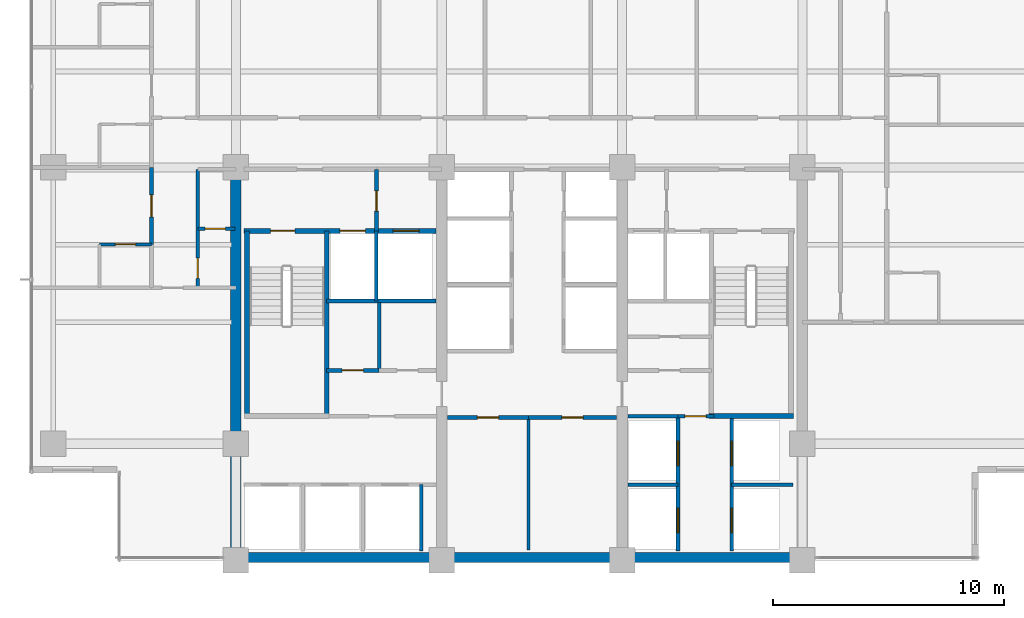
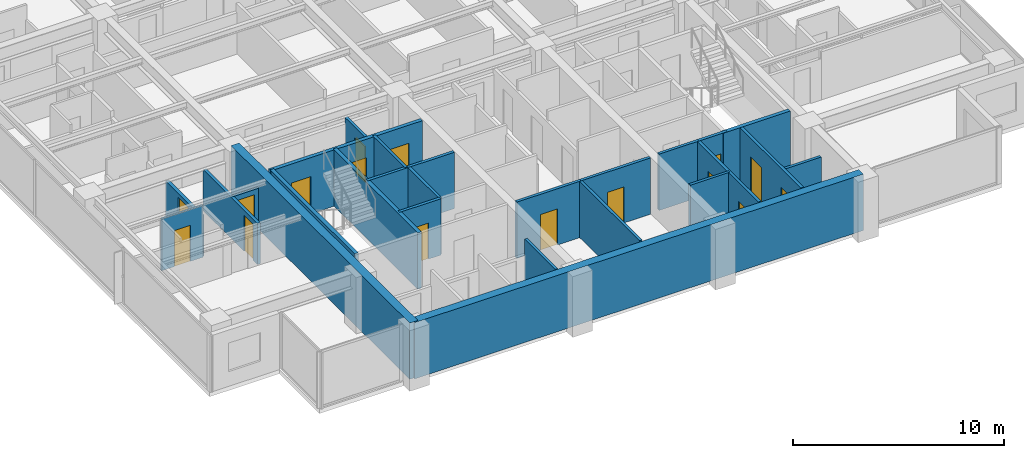
# One storey, part 7 of 16: 25 walls, 16 doors, 16 openings.
"""IFC4 building model written with IfcOpenShell, lengths in metres."""

from ifc_helpers import new_model, si_unit, direction, frame, frame_2d, origin, place, context, subcontext, project, spatial, rectangle, extrude, material, layer, layer_set, type_object, element, fill, save


model = new_model("IFC4")

# Units and contexts
model_context = context("Model", 3, precision=1e-05, world=origin(), true_north=direction((0.0, 1.0)))
body_context = subcontext(model_context, "Body", "Model", "MODEL_VIEW")
ifc_project = project(units=[si_unit("LENGTHUNIT", "METRE"), si_unit("AREAUNIT", "SQUARE_METRE"), si_unit("VOLUMEUNIT", "CUBIC_METRE"), si_unit("PLANEANGLEUNIT", "RADIAN"), si_unit("MASSUNIT", "GRAM", prefix="KILO")], contexts=[model_context])

# Site, building, storey
site_placement = place(None, origin())
site = spatial("IfcSite", under=ifc_project, at=site_placement, CompositionType="ELEMENT")
building_placement = place(site_placement, origin())
building = spatial("IfcBuilding", under=site, at=building_placement, Name="Qalmaran Belvedere Hotel", CompositionType="ELEMENT")
storey_placement = place(building_placement, frame((0.0, 0.0, 145.60009765625)))
storey = spatial("IfcBuildingStorey", under=building, at=storey_placement, Name="L36", CompositionType="ELEMENT", Elevation=145.60009765625)

# Walls
ifc_material_1 = material(Name="Concrete C50/60", Category="concrete")
ifc_layer_1 = layer(ifc_material_1, 0.449951171875, Name="Concrete C50/60")
ifc_layer_set_1 = layer_set([ifc_layer_1], Name="Concrete C50/60")
wall_type_1 = type_object("IfcWallType", Name="WL-CORE-450-C50", PredefinedType="SHEAR", material=ifc_layer_set_1)
wall_1_placement = place(storey_placement, frame((20.300048828125, 3.5, 0.0), z_axis=(0.0, 0.0, 1.0), x_axis=(0.0, 1.0, 0.0)))
element("IfcWall", 1, at=wall_1_placement, inside=storey, type_object=wall_type_1, Name="L36 West Core Shear Wall", PredefinedType="SHEAR", context=body_context, shape_type="SweptSolid", body=[
    extrude(rectangle(XDim=16.89990234375, YDim=0.449951171875, at=frame_2d((8.449951171875, 0.0))), origin(), (0.0, 0.0, 1.0), 3.25),
])
ifc_layer_2 = layer(ifc_material_1, 0.43994140625, Name="Concrete C50/60")
ifc_layer_set_2 = layer_set([ifc_layer_2], Name="Concrete C50/60")
wall_type_2 = type_object("IfcWallType", Name="WL-CORES-440-EXT", PredefinedType="SHEAR", material=ifc_layer_set_2)
wall_2_placement = place(storey_placement, frame((20.300048828125, 3.6298828125, 0.0), z_axis=(0.0, 0.0, 1.0), x_axis=(1.0, 0.0, 0.0)))
element("IfcWall", 2, at=wall_2_placement, inside=storey, type_object=wall_type_2, Name="L36 South Core Shear Wall", PredefinedType="SHEAR", context=body_context, shape_type="SweptSolid", body=[
    extrude(rectangle(XDim=24.5, YDim=0.43994140625, at=frame_2d((12.25, 0.0))), origin(), (0.0, 0.0, 1.0), 3.25),
])

# Wall, opening, door
ifc_material_2 = material(Name="Moisture-Resistant Gypsum")
ifc_layer_3 = layer(ifc_material_2, 0.1201171875, Name="Moisture-Resistant Gypsum")
ifc_layer_set_3 = layer_set([ifc_layer_3], Name="Moisture-Resistant Gypsum")
wall_type_3 = type_object("IfcWallType", Name="WL-INT-120-BATH", PredefinedType="PARTITIONING", material=ifc_layer_set_3)
wall_3_placement = place(storey_placement, frame((14.39990234375, 17.169921875, 0.0), z_axis=(0.0, 0.0, 1.0), x_axis=(1.0, 0.0, 0.0)))
wall_3 = element("IfcWall", 3, at=wall_3_placement, inside=storey, type_object=wall_type_3, Name="L36 Partition WL-L36-WBN00", PredefinedType="PARTITIONING", context=body_context, shape_type="SweptSolid", body=[
    extrude(rectangle(XDim=2.25, YDim=0.1201171875, at=frame_2d((1.125, 0.0))), origin(), (0.0, 0.0, 1.0), 2.98779296875),
])
opening_1_placement = place(wall_3_placement, frame((1.56494140625, 0.0, 0.0), z_axis=(0.0, 0.0, 1.0), x_axis=(-1.0, 0.0, 0.0)))
opening_1 = element("IfcOpeningElement", 4, at=opening_1_placement, cuts=wall_3, Name="Opening D-BATH", PredefinedType="OPENING", context=body_context, shape_type="SweptSolid", body=[
    extrude(rectangle(XDim=0.8798828125, YDim=2.080078125, at=frame_2d((0.43994140625, 1.0400390625))), frame((0.0, 0.070068359375, 0.0), z_axis=(0.0, -1.0, 0.0), x_axis=(1.0, 0.0, 0.0)), (0.0, 0.0, 1.0), 0.14013671875),
])
ifc_material_3 = material(Name="Engineered Oak Veneer")
door_type_1 = type_object("IfcDoorType", Name="DR-INT-BATH-880X2080", OperationType="NOTDEFINED", PredefinedType="DOOR", material=ifc_material_3)
door_1_placement = place(opening_1_placement, origin())
door_1 = element("IfcDoor", 5, at=door_1_placement, inside=storey, type_object=door_type_1, Name="L36 W Ensuite Door 01", OperationType="SINGLE_SWING_LEFT", OverallHeight=2.080078125, OverallWidth=0.8798828125, PredefinedType="DOOR", context=body_context, shape_type="SweptSolid", body=[
    extrude(rectangle(XDim=0.8798828125, YDim=2.080078125, at=frame_2d((0.43994140625, 1.0400390625))), frame((0.0, 0.02490234375, 0.0), z_axis=(0.0, -1.0, 0.0), x_axis=(1.0, 0.0, 0.0)), (0.0, 0.0, 1.0), 0.050048828125),
])
fill(opening_1, door_1)

ifc_material_4 = material(Name="Gypsum Stud Partition")
ifc_layer_4 = layer(ifc_material_4, 0.139892578125, Name="Gypsum Stud Partition")
ifc_layer_set_4 = layer_set([ifc_layer_4], Name="Gypsum Stud Partition")
wall_type_4 = type_object("IfcWallType", Name="WL-INT-140-NR", PredefinedType="PARTITIONING", material=ifc_layer_set_4)
wall_4_placement = place(storey_placement, frame((18.64990234375, 17.85009765625, 0.0), z_axis=(0.0, 0.0, 1.0), x_axis=(1.0, 0.0, 0.0)))
wall_4 = element("IfcWall", 6, at=wall_4_placement, inside=storey, type_object=wall_type_4, Name="L36 Partition WL-L36-WCLSUB", PredefinedType="PARTITIONING", context=body_context, shape_type="SweptSolid", body=[
    extrude(rectangle(XDim=1.60009765625, YDim=0.139892578125, at=frame_2d((0.800048828125, 0.0))), origin(), (0.0, 0.0, 1.0), 2.3798828125),
])
opening_2_placement = place(wall_4_placement, frame((1.193115234375, 0.0, 0.0), z_axis=(0.0, 0.0, 1.0), x_axis=(-1.0, 0.0, 0.0)))
opening_2 = element("IfcOpeningElement", 7, at=opening_2_placement, cuts=wall_4, Name="Opening D-BATH", PredefinedType="OPENING", context=body_context, shape_type="SweptSolid", body=[
    extrude(rectangle(XDim=0.8798828125, YDim=2.080078125, at=frame_2d((0.43994140625, 1.0400390625))), frame((0.0, 0.080078125, 0.0), z_axis=(0.0, -1.0, 0.0), x_axis=(1.0, 0.0, 0.0)), (0.0, 0.0, 1.0), 0.159912109375),
])
door_2_placement = place(opening_2_placement, origin())
door_2 = element("IfcDoor", 8, at=door_2_placement, inside=storey, type_object=door_type_1, Name="L36 Closet Alcove Door", OperationType="SINGLE_SWING_RIGHT", OverallHeight=2.080078125, OverallWidth=0.8798828125, PredefinedType="DOOR", context=body_context, shape_type="SweptSolid", body=[
    extrude(rectangle(XDim=0.8798828125, YDim=2.080078125, at=frame_2d((0.43994140625, 1.0400390625))), frame((0.0, 0.02490234375, 0.0), z_axis=(0.0, -1.0, 0.0), x_axis=(1.0, 0.0, 0.0)), (0.0, 0.0, 1.0), 0.050048828125),
])
fill(opening_2, door_2)

# Walls
ifc_layer_5 = layer(ifc_material_4, 0.14990234375, Name="Gypsum Stud Partition")
ifc_layer_set_5 = layer_set([ifc_layer_5], Name="Gypsum Stud Partition")
wall_type_5 = type_object("IfcWallType", Name="WL-INT-150-EI120", PredefinedType="PARTITIONING", material=ifc_layer_set_5)
wall_5_placement = place(storey_placement, frame((26.360107421875, 14.719970703125, 0.0), z_axis=(0.0, 0.0, 1.0), x_axis=(0.0, 1.0, 0.0)))
element("IfcWall", 9, at=wall_5_placement, inside=storey, type_object=wall_type_5, Name="L36 Partition WL-FF1M-L36", PredefinedType="PARTITIONING", context=body_context, shape_type="SweptSolid", body=[
    extrude(rectangle(XDim=3.0400390625, YDim=0.14990234375, at=frame_2d((1.52001953125, 0.0))), origin(), (0.0, 0.0, 1.0), 3.25),
])
wall_6_placement = place(storey_placement, frame((28.320068359375, 3.89990234375, 0.0), z_axis=(0.0, 0.0, 1.0), x_axis=(0.0, 1.0, 0.0)))
element("IfcWall", 10, at=wall_6_placement, inside=storey, type_object=wall_type_5, Name="L36 Partition WL-POM3-L36", PredefinedType="PARTITIONING", context=body_context, shape_type="SweptSolid", body=[
    extrude(rectangle(XDim=2.880126953125, YDim=0.14990234375, at=frame_2d((1.43994140625, 0.0))), origin(), (0.0, 0.0, 1.0), 3.25),
])
wall_7_placement = place(storey_placement, frame((37.25, 6.780029296875, 0.0), z_axis=(0.0, 0.0, 1.0), x_axis=(1.0, 0.0, 0.0)))
element("IfcWall", 11, at=wall_7_placement, inside=storey, type_object=wall_type_5, Name="L36 Partition WL-PHMW-L36", PredefinedType="PARTITIONING", context=body_context, shape_type="SweptSolid", body=[
    extrude(rectangle(XDim=2.169921875, YDim=0.14990234375, at=frame_2d((1.0849609375, 0.0))), origin(), (0.0, 0.0, 1.0), 3.25),
])
wall_8_placement = place(storey_placement, frame((41.739990234375, 6.780029296875, 0.0), z_axis=(0.0, 0.0, 1.0), x_axis=(1.0, 0.0, 0.0)))
element("IfcWall", 12, at=wall_8_placement, inside=storey, type_object=wall_type_5, Name="L36 Partition WL-PHME-L36", PredefinedType="PARTITIONING", context=body_context, shape_type="SweptSolid", body=[
    extrude(rectangle(XDim=2.659912109375, YDim=0.14990234375, at=frame_2d((1.330078125, 0.0))), origin(), (0.0, 0.0, 1.0), 2.3798828125),
])
ifc_layer_6 = layer(ifc_material_4, 0.14990234375, Name="Gypsum Stud Partition")
ifc_layer_set_6 = layer_set([ifc_layer_6], Name="Gypsum Stud Partition")
wall_type_6 = type_object("IfcWallType", Name="WL-INT-150-EI60", PredefinedType="PARTITIONING", material=ifc_layer_set_6)
wall_9_placement = place(storey_placement, frame((26.490478515625, 11.719970703125, 0.0), z_axis=(0.0, 0.0, 1.0), x_axis=(0.0, 1.0, 0.0)))
element("IfcWall", 13, at=wall_9_placement, inside=storey, type_object=wall_type_6, Name="L36 Partition WL-L36-KWV1", PredefinedType="PARTITIONING", context=body_context, shape_type="SweptSolid", body=[
    extrude(rectangle(XDim=2.929931640625, YDim=0.14990234375, at=frame_2d((1.46484375, 0.0))), origin(), (0.0, 0.0, 1.0), 3.25),
])
wall_10_placement = place(storey_placement, frame((32.9541015625, 3.949951171875, 0.0), z_axis=(0.0, 0.0, 1.0), x_axis=(0.0, 1.0, 0.0)))
element("IfcWall", 14, at=wall_10_placement, inside=storey, type_object=wall_type_6, Name="L36 Partition WL-L36-KPLV1", PredefinedType="PARTITIONING", context=body_context, shape_type="SweptSolid", body=[
    extrude(rectangle(XDim=5.72998046875, YDim=0.14990234375, at=frame_2d((2.864990234375, 0.0))), origin(), (0.0, 0.0, 1.0), 3.25),
])

# Wall, opening, door
ifc_layer_7 = layer(ifc_material_4, 0.159912109375, Name="Gypsum Stud Partition")
ifc_layer_set_7 = layer_set([ifc_layer_7], Name="Gypsum Stud Partition")
wall_type_7 = type_object("IfcWallType", Name="WL-INT-160-EI120", PredefinedType="PARTITIONING", material=ifc_layer_set_7)
wall_11_placement = place(storey_placement, frame((26.3798828125, 17.760009765625, 0.0), z_axis=(0.0, 0.0, 1.0), x_axis=(0.0, 1.0, 0.0)))
wall_11 = element("IfcWall", 15, at=wall_11_placement, inside=storey, type_object=wall_type_7, Name="L36 Partition WL-FFSV1-L36", PredefinedType="PARTITIONING", context=body_context, shape_type="SweptSolid", body=[
    extrude(rectangle(XDim=2.659912109375, YDim=0.159912109375, at=frame_2d((1.330078125, 0.0))), origin(), (0.0, 0.0, 1.0), 2.69189453125),
])
opening_3_placement = place(wall_11_placement, frame((0.85009765625, 0.0, 0.0)))
opening_3 = element("IfcOpeningElement", 16, at=opening_3_placement, cuts=wall_11, Name="Opening FD60B", PredefinedType="OPENING", context=body_context, shape_type="SweptSolid", body=[
    extrude(rectangle(XDim=0.8798828125, YDim=2.080078125, at=frame_2d((0.43994140625, 1.0400390625))), frame((0.0, 0.08984375, 0.0), z_axis=(0.0, -1.0, 0.0), x_axis=(1.0, 0.0, 0.0)), (0.0, 0.0, 1.0), 0.179931640625),
])
ifc_material_5 = material(Name="Steel S355JR", Category="steel")
door_type_2 = type_object("IfcDoorType", Name="DR-FD60B-880X2080", OperationType="NOTDEFINED", PredefinedType="DOOR", material=ifc_material_5)
door_3_placement = place(opening_3_placement, origin())
door_3 = element("IfcDoor", 17, at=door_3_placement, inside=storey, type_object=door_type_2, Name="L36 Service Lobby West Door", OperationType="SINGLE_SWING_LEFT", OverallHeight=2.080078125, OverallWidth=0.8798828125, PredefinedType="DOOR", context=body_context, shape_type="SweptSolid", body=[
    extrude(rectangle(XDim=0.8798828125, YDim=2.080078125, at=frame_2d((0.43994140625, 1.0400390625))), frame((0.0, 0.02490234375, 0.0), z_axis=(0.0, -1.0, 0.0), x_axis=(1.0, 0.0, 0.0)), (0.0, 0.0, 1.0), 0.050048828125),
])
fill(opening_3, door_3)

# Wall
wall_12_placement = place(storey_placement, frame((24.219970703125, 14.719970703125, 0.0), z_axis=(0.0, 0.0, 1.0), x_axis=(1.0, 0.0, 0.0)))
element("IfcWall", 18, at=wall_12_placement, inside=storey, type_object=wall_type_7, Name="L36 Partition WL-FF1S-L36", PredefinedType="PARTITIONING", context=body_context, shape_type="SweptSolid", body=[
    extrude(rectangle(XDim=4.72998046875, YDim=0.159912109375, at=frame_2d((2.364990234375, 0.0))), origin(), (0.0, 0.0, 1.0), 3.25),
])

# Wall, openings, doors
wall_13_placement = place(storey_placement, frame((39.419921875, 3.89990234375, 0.0), z_axis=(0.0, 0.0, 1.0), x_axis=(0.0, 1.0, 0.0)))
wall_13 = element("IfcWall", 19, at=wall_13_placement, inside=storey, type_object=wall_type_7, Name="L36 Partition WL-PHW-L36", PredefinedType="PARTITIONING", context=body_context, shape_type="SweptSolid", body=[
    extrude(rectangle(XDim=5.840087890625, YDim=0.159912109375, at=frame_2d((2.919921875, 0.0))), origin(), (0.0, 0.0, 1.0), 3.25),
])
opening_4_placement = place(wall_13_placement, frame((1.860107421875, 0.0, 0.0), z_axis=(0.0, 0.0, 1.0), x_axis=(-1.0, 0.0, 0.0)))
opening_4 = element("IfcOpeningElement", 20, at=opening_4_placement, cuts=wall_13, Name="Opening LD-P2", PredefinedType="OPENING", context=body_context, shape_type="SweptSolid", body=[
    extrude(rectangle(XDim=1.06005859375, YDim=2.159912109375, at=frame_2d((0.530029296875, 1.080078125))), frame((0.0, 0.08984375, 0.0), z_axis=(0.0, -1.0, 0.0), x_axis=(1.0, 0.0, 0.0)), (0.0, 0.0, 1.0), 0.179931640625),
])
opening_5_placement = place(wall_13_placement, frame((4.760009765625, 0.0, 0.0), z_axis=(0.0, 0.0, 1.0), x_axis=(-1.0, 0.0, 0.0)))
opening_5 = element("IfcOpeningElement", 21, at=opening_5_placement, cuts=wall_13, Name="Opening LD-P2", PredefinedType="OPENING", context=body_context, shape_type="SweptSolid", body=[
    extrude(rectangle(XDim=1.06005859375, YDim=2.159912109375, at=frame_2d((0.530029296875, 1.080078125))), frame((0.0, 0.08984375, 0.0), z_axis=(0.0, -1.0, 0.0), x_axis=(1.0, 0.0, 0.0)), (0.0, 0.0, 1.0), 0.179931640625),
])
ifc_material_6 = material(Name="Stainless Steel 1.4401", Category="steel")
door_type_3 = type_object("IfcDoorType", Name="DR-LIFT-P2-1060X2160", OperationType="DOUBLE_DOOR_SLIDING", PredefinedType="DOOR", material=ifc_material_6)
door_4_placement = place(opening_4_placement, origin())
door_4 = element("IfcDoor", 22, at=door_4_placement, inside=storey, type_object=door_type_3, Name="L36 PH1 Lift Landing Door", OperationType="DOUBLE_DOOR_SLIDING", OverallHeight=2.159912109375, OverallWidth=1.06005859375, PredefinedType="DOOR", context=body_context, shape_type="SweptSolid", body=[
    extrude(rectangle(XDim=1.06005859375, YDim=2.159912109375, at=frame_2d((0.530029296875, 1.080078125))), frame((0.0, 0.02490234375, 0.0), z_axis=(0.0, -1.0, 0.0), x_axis=(1.0, 0.0, 0.0)), (0.0, 0.0, 1.0), 0.050048828125),
])
fill(opening_4, door_4)
door_5_placement = place(opening_5_placement, origin())
door_5 = element("IfcDoor", 23, at=door_5_placement, inside=storey, type_object=door_type_3, Name="L36 PH2 Lift Landing Door", OperationType="DOUBLE_DOOR_SLIDING", OverallHeight=2.159912109375, OverallWidth=1.06005859375, PredefinedType="DOOR", context=body_context, shape_type="SweptSolid", body=[
    extrude(rectangle(XDim=1.06005859375, YDim=2.159912109375, at=frame_2d((0.530029296875, 1.080078125))), frame((0.0, 0.02490234375, 0.0), z_axis=(0.0, -1.0, 0.0), x_axis=(1.0, 0.0, 0.0)), (0.0, 0.0, 1.0), 0.050048828125),
])
fill(opening_5, door_5)

wall_14_placement = place(storey_placement, frame((41.739990234375, 3.89990234375, 0.0), z_axis=(0.0, 0.0, 1.0), x_axis=(0.0, 1.0, 0.0)))
wall_14 = element("IfcWall", 24, at=wall_14_placement, inside=storey, type_object=wall_type_7, Name="L36 Partition WL-PHE-L36", PredefinedType="PARTITIONING", context=body_context, shape_type="SweptSolid", body=[
    extrude(rectangle(XDim=5.840087890625, YDim=0.159912109375, at=frame_2d((2.919921875, 0.0))), origin(), (0.0, 0.0, 1.0), 3.25),
])
opening_6_placement = place(wall_14_placement, frame((0.800048828125, 0.0, 0.0)))
opening_6 = element("IfcOpeningElement", 25, at=opening_6_placement, cuts=wall_14, Name="Opening LD-P2", PredefinedType="OPENING", context=body_context, shape_type="SweptSolid", body=[
    extrude(rectangle(XDim=1.06005859375, YDim=2.159912109375, at=frame_2d((0.530029296875, 1.080078125))), frame((0.0, 0.08984375, 0.0), z_axis=(0.0, -1.0, 0.0), x_axis=(1.0, 0.0, 0.0)), (0.0, 0.0, 1.0), 0.179931640625),
])
opening_7_placement = place(wall_14_placement, frame((3.699951171875, 0.0, 0.0)))
opening_7 = element("IfcOpeningElement", 26, at=opening_7_placement, cuts=wall_14, Name="Opening LD-P2", PredefinedType="OPENING", context=body_context, shape_type="SweptSolid", body=[
    extrude(rectangle(XDim=1.06005859375, YDim=2.159912109375, at=frame_2d((0.530029296875, 1.080078125))), frame((0.0, 0.08984375, 0.0), z_axis=(0.0, -1.0, 0.0), x_axis=(1.0, 0.0, 0.0)), (0.0, 0.0, 1.0), 0.179931640625),
])
door_6_placement = place(opening_6_placement, origin())
door_6 = element("IfcDoor", 27, at=door_6_placement, inside=storey, type_object=door_type_3, Name="L36 PH3 Lift Landing Door", OperationType="DOUBLE_DOOR_SLIDING", OverallHeight=2.159912109375, OverallWidth=1.06005859375, PredefinedType="DOOR", context=body_context, shape_type="SweptSolid", body=[
    extrude(rectangle(XDim=1.06005859375, YDim=2.159912109375, at=frame_2d((0.530029296875, 1.080078125))), frame((0.0, 0.02490234375, 0.0), z_axis=(0.0, -1.0, 0.0), x_axis=(1.0, 0.0, 0.0)), (0.0, 0.0, 1.0), 0.050048828125),
])
fill(opening_6, door_6)
door_7_placement = place(opening_7_placement, origin())
door_7 = element("IfcDoor", 28, at=door_7_placement, inside=storey, type_object=door_type_3, Name="L36 PH4 Lift Landing Door", OperationType="DOUBLE_DOOR_SLIDING", OverallHeight=2.159912109375, OverallWidth=1.06005859375, PredefinedType="DOOR", context=body_context, shape_type="SweptSolid", body=[
    extrude(rectangle(XDim=1.06005859375, YDim=2.159912109375, at=frame_2d((0.530029296875, 1.080078125))), frame((0.0, 0.02490234375, 0.0), z_axis=(0.0, -1.0, 0.0), x_axis=(1.0, 0.0, 0.0)), (0.0, 0.0, 1.0), 0.050048828125),
])
fill(opening_7, door_7)

# Wall
wall_15_placement = place(storey_placement, frame((37.25, 9.739990234375, 0.0), z_axis=(0.0, 0.0, 1.0), x_axis=(1.0, 0.0, 0.0)))
element("IfcWall", 29, at=wall_15_placement, inside=storey, type_object=wall_type_7, Name="L36 Partition WL-PHNW-L36", PredefinedType="PARTITIONING", context=body_context, shape_type="SweptSolid", body=[
    extrude(rectangle(XDim=2.169921875, YDim=0.159912109375, at=frame_2d((1.0849609375, 0.0))), origin(), (0.0, 0.0, 1.0), 3.25),
])

# Wall, opening, door
wall_16_placement = place(storey_placement, frame((39.419921875, 9.739990234375, 0.0), z_axis=(0.0, 0.0, 1.0), x_axis=(1.0, 0.0, 0.0)))
wall_16 = element("IfcWall", 30, at=wall_16_placement, inside=storey, type_object=wall_type_7, Name="L36 Partition WL-PHNL-L36", PredefinedType="PARTITIONING", context=body_context, shape_type="SweptSolid", body=[
    extrude(rectangle(XDim=1.56005859375, YDim=0.159912109375, at=frame_2d((0.780029296875, 0.0))), origin(), (0.0, 0.0, 1.0), 3.25),
])
opening_8_placement = place(wall_16_placement, frame((0.300048828125, 0.0, 0.0)))
opening_8 = element("IfcOpeningElement", 31, at=opening_8_placement, cuts=wall_16, Name="Opening FD60S1", PredefinedType="OPENING", context=body_context, shape_type="SweptSolid", body=[
    extrude(rectangle(XDim=0.919921875, YDim=2.080078125, at=frame_2d((0.4599609375, 1.0400390625))), frame((0.0, 0.08984375, 0.0), z_axis=(0.0, -1.0, 0.0), x_axis=(1.0, 0.0, 0.0)), (0.0, 0.0, 1.0), 0.179931640625),
])
door_type_4 = type_object("IfcDoorType", Name="DR-FD60S-920X2080", OperationType="NOTDEFINED", PredefinedType="DOOR", material=ifc_material_3)
door_8_placement = place(opening_8_placement, origin())
door_8 = element("IfcDoor", 32, at=door_8_placement, inside=storey, type_object=door_type_4, Name="L36 High-Rise Lift Lobby Passage Door", OperationType="SINGLE_SWING_LEFT", OverallHeight=2.080078125, OverallWidth=0.919921875, PredefinedType="DOOR", context=body_context, shape_type="SweptSolid", body=[
    extrude(rectangle(XDim=0.919921875, YDim=2.080078125, at=frame_2d((0.4599609375, 1.0400390625))), frame((0.0, 0.02490234375, 0.0), z_axis=(0.0, -1.0, 0.0), x_axis=(1.0, 0.0, 0.0)), (0.0, 0.0, 1.0), 0.050048828125),
])
fill(opening_8, door_8)

ifc_layer_8 = layer(ifc_material_4, 0.159912109375, Name="Gypsum Stud Partition")
ifc_layer_set_8 = layer_set([ifc_layer_8], Name="Gypsum Stud Partition")
wall_type_8 = type_object("IfcWallType", Name="WL-INT-160-EI60", PredefinedType="PARTITIONING", material=ifc_layer_set_8)
wall_17_placement = place(storey_placement, frame((24.219970703125, 11.719970703125, 0.0), z_axis=(0.0, 0.0, 1.0), x_axis=(1.0, 0.0, 0.0)))
wall_17 = element("IfcWall", 33, at=wall_17_placement, inside=storey, type_object=wall_type_8, Name="L36 Partition WL-L36-KWE1", PredefinedType="PARTITIONING", context=body_context, shape_type="SweptSolid", body=[
    extrude(rectangle(XDim=2.2705078125, YDim=0.159912109375, at=frame_2d((1.13525390625, 0.0))), origin(), (0.0, 0.0, 1.0), 3.25),
])
opening_9_placement = place(wall_17_placement, frame((0.67529296875, 0.0, 0.0)))
opening_9 = element("IfcOpeningElement", 34, at=opening_9_placement, cuts=wall_17, Name="Opening FD60S1", PredefinedType="OPENING", context=body_context, shape_type="SweptSolid", body=[
    extrude(rectangle(XDim=0.919921875, YDim=2.080078125, at=frame_2d((0.4599609375, 1.0400390625))), frame((0.0, 0.08984375, 0.0), z_axis=(0.0, -1.0, 0.0), x_axis=(1.0, 0.0, 0.0)), (0.0, 0.0, 1.0), 0.179931640625),
])
door_9_placement = place(opening_9_placement, origin())
door_9 = element("IfcDoor", 35, at=door_9_placement, inside=storey, type_object=door_type_4, Name="L36 Telecom and IT Room Door", OperationType="SINGLE_SWING_RIGHT", OverallHeight=2.080078125, OverallWidth=0.919921875, PredefinedType="DOOR", context=body_context, shape_type="SweptSolid", body=[
    extrude(rectangle(XDim=0.919921875, YDim=2.080078125, at=frame_2d((0.4599609375, 1.0400390625))), frame((0.0, 0.02490234375, 0.0), z_axis=(0.0, -1.0, 0.0), x_axis=(1.0, 0.0, 0.0)), (0.0, 0.0, 1.0), 0.050048828125),
])
fill(opening_9, door_9)

wall_18_placement = place(storey_placement, frame((29.449951171875, 9.679931640625, 0.0), z_axis=(0.0, 0.0, 1.0), x_axis=(1.0, 0.0, 0.0)))
wall_18 = element("IfcWall", 36, at=wall_18_placement, inside=storey, type_object=wall_type_8, Name="L36 Partition WL-L36-KPLE1", PredefinedType="PARTITIONING", context=body_context, shape_type="SweptSolid", body=[
    extrude(rectangle(XDim=3.504150390625, YDim=0.159912109375, at=frame_2d((1.751953125, 0.0))), origin(), (0.0, 0.0, 1.0), 3.25),
])
opening_10_placement = place(wall_18_placement, frame((2.2119140625, 0.0, 0.0), z_axis=(0.0, 0.0, 1.0), x_axis=(-1.0, 0.0, 0.0)))
opening_10 = element("IfcOpeningElement", 37, at=opening_10_placement, cuts=wall_18, Name="Opening FD60S1", PredefinedType="OPENING", context=body_context, shape_type="SweptSolid", body=[
    extrude(rectangle(XDim=0.919921875, YDim=2.080078125, at=frame_2d((0.4599609375, 1.0400390625))), frame((0.0, 0.08984375, 0.0), z_axis=(0.0, -1.0, 0.0), x_axis=(1.0, 0.0, 0.0)), (0.0, 0.0, 1.0), 0.179931640625),
])
door_10_placement = place(opening_10_placement, origin())
door_10 = element("IfcDoor", 38, at=door_10_placement, inside=storey, type_object=door_type_4, Name="L36 Hotel Butler Service Pantry Door", OperationType="SINGLE_SWING_RIGHT", OverallHeight=2.080078125, OverallWidth=0.919921875, PredefinedType="DOOR", context=body_context, shape_type="SweptSolid", body=[
    extrude(rectangle(XDim=0.919921875, YDim=2.080078125, at=frame_2d((0.4599609375, 1.0400390625))), frame((0.0, 0.02490234375, 0.0), z_axis=(0.0, -1.0, 0.0), x_axis=(1.0, 0.0, 0.0)), (0.0, 0.0, 1.0), 0.050048828125),
])
fill(opening_10, door_10)

wall_19_placement = place(storey_placement, frame((32.9541015625, 9.679931640625, 0.0), z_axis=(0.0, 0.0, 1.0), x_axis=(1.0, 0.0, 0.0)))
wall_19 = element("IfcWall", 39, at=wall_19_placement, inside=storey, type_object=wall_type_8, Name="L36 Partition WL-L36-KPLE2", PredefinedType="PARTITIONING", context=body_context, shape_type="SweptSolid", body=[
    extrude(rectangle(XDim=3.7958984375, YDim=0.159912109375, at=frame_2d((1.89794921875, 0.0))), origin(), (0.0, 0.0, 1.0), 3.25),
])
opening_11_placement = place(wall_19_placement, frame((2.35791015625, 0.0, 0.0), z_axis=(0.0, 0.0, 1.0), x_axis=(-1.0, 0.0, 0.0)))
opening_11 = element("IfcOpeningElement", 40, at=opening_11_placement, cuts=wall_19, Name="Opening FD60S1", PredefinedType="OPENING", context=body_context, shape_type="SweptSolid", body=[
    extrude(rectangle(XDim=0.919921875, YDim=2.080078125, at=frame_2d((0.4599609375, 1.0400390625))), frame((0.0, 0.08984375, 0.0), z_axis=(0.0, -1.0, 0.0), x_axis=(1.0, 0.0, 0.0)), (0.0, 0.0, 1.0), 0.179931640625),
])
door_11_placement = place(opening_11_placement, origin())
door_11 = element("IfcDoor", 41, at=door_11_placement, inside=storey, type_object=door_type_4, Name="L36 Guest Valet Supply Store Door", OperationType="SINGLE_SWING_LEFT", OverallHeight=2.080078125, OverallWidth=0.919921875, PredefinedType="DOOR", context=body_context, shape_type="SweptSolid", body=[
    extrude(rectangle(XDim=0.919921875, YDim=2.080078125, at=frame_2d((0.4599609375, 1.0400390625))), frame((0.0, 0.02490234375, 0.0), z_axis=(0.0, -1.0, 0.0), x_axis=(1.0, 0.0, 0.0)), (0.0, 0.0, 1.0), 0.050048828125),
])
fill(opening_11, door_11)

wall_20_placement = place(storey_placement, frame((18.64990234375, 15.300048828125, 0.0), z_axis=(0.0, 0.0, 1.0), x_axis=(0.0, 1.0, 0.0)))
wall_20 = element("IfcWall", 42, at=wall_20_placement, inside=storey, type_object=wall_type_8, Name="L36 Partition WL-L36-WCL", PredefinedType="PARTITIONING", context=body_context, shape_type="SweptSolid", body=[
    extrude(rectangle(XDim=5.119873046875, YDim=0.159912109375, at=frame_2d((2.56005859375, 0.0))), origin(), (0.0, 0.0, 1.0), 2.3798828125),
])
opening_12_placement = place(wall_20_placement, frame((1.27978515625, 0.0, 0.0), z_axis=(0.0, 0.0, 1.0), x_axis=(-1.0, 0.0, 0.0)))
opening_12 = element("IfcOpeningElement", 43, at=opening_12_placement, cuts=wall_20, Name="Opening FD60B", PredefinedType="OPENING", context=body_context, shape_type="SweptSolid", body=[
    extrude(rectangle(XDim=0.8798828125, YDim=2.080078125, at=frame_2d((0.43994140625, 1.0400390625))), frame((0.0, 0.08984375, 0.0), z_axis=(0.0, -1.0, 0.0), x_axis=(1.0, 0.0, 0.0)), (0.0, 0.0, 1.0), 0.179931640625),
])
door_12_placement = place(opening_12_placement, origin())
door_12 = element("IfcDoor", 44, at=door_12_placement, inside=storey, type_object=door_type_2, Name="L36 West Closet Door", OperationType="SINGLE_SWING_RIGHT", OverallHeight=2.080078125, OverallWidth=0.8798828125, PredefinedType="DOOR", context=body_context, shape_type="SweptSolid", body=[
    extrude(rectangle(XDim=0.8798828125, YDim=2.080078125, at=frame_2d((0.43994140625, 1.0400390625))), frame((0.0, 0.02490234375, 0.0), z_axis=(0.0, -1.0, 0.0), x_axis=(1.0, 0.0, 0.0)), (0.0, 0.0, 1.0), 0.050048828125),
])
fill(opening_12, door_12)

ifc_layer_9 = layer(ifc_material_4, 0.179931640625, Name="Gypsum Stud Partition")
ifc_layer_set_9 = layer_set([ifc_layer_9], Name="Gypsum Stud Partition")
wall_type_9 = type_object("IfcWallType", Name="WL-INT-180-EI60", PredefinedType="PARTITIONING", material=ifc_layer_set_9)
wall_21_placement = place(storey_placement, frame((16.64990234375, 17.169921875, 0.0), z_axis=(0.0, 0.0, 1.0), x_axis=(0.0, 1.0, 0.0)))
wall_21 = element("IfcWall", 45, at=wall_21_placement, inside=storey, type_object=wall_type_9, Name="L36 Partition WL-L36-WEC00", PredefinedType="PARTITIONING", context=body_context, shape_type="SweptSolid", body=[
    extrude(rectangle(XDim=3.330078125, YDim=0.179931640625, at=frame_2d((1.6650390625, 0.0))), origin(), (0.0, 0.0, 1.0), 2.3798828125),
])
opening_13_placement = place(wall_21_placement, frame((1.18994140625, 0.0, 0.0)))
opening_13 = element("IfcOpeningElement", 46, at=opening_13_placement, cuts=wall_21, Name="Opening FD60", PredefinedType="OPENING", context=body_context, shape_type="SweptSolid", body=[
    extrude(rectangle(XDim=0.949951171875, YDim=2.14990234375, at=frame_2d((0.47509765625, 1.074951171875))), frame((0.0, 0.10009765625, 0.0), z_axis=(0.0, -1.0, 0.0), x_axis=(1.0, 0.0, 0.0)), (0.0, 0.0, 1.0), 0.199951171875),
])
door_type_5 = type_object("IfcDoorType", Name="DR-FD60-950X2150", OperationType="NOTDEFINED", PredefinedType="DOOR", material=ifc_material_3)
door_13_placement = place(opening_13_placement, origin())
door_13 = element("IfcDoor", 47, at=door_13_placement, inside=storey, type_object=door_type_5, Name="L36 W Wing Door 01", OperationType="SINGLE_SWING_RIGHT", OverallHeight=2.14990234375, OverallWidth=0.949951171875, PredefinedType="DOOR", context=body_context, shape_type="SweptSolid", body=[
    extrude(rectangle(XDim=0.949951171875, YDim=2.14990234375, at=frame_2d((0.47509765625, 1.074951171875))), frame((0.0, 0.02490234375, 0.0), z_axis=(0.0, -1.0, 0.0), x_axis=(1.0, 0.0, 0.0)), (0.0, 0.0, 1.0), 0.050048828125),
])
fill(opening_13, door_13)

# Walls
ifc_layer_10 = layer(ifc_material_1, 0.2099609375, Name="Concrete C50/60")
ifc_layer_set_10 = layer_set([ifc_layer_10], Name="Concrete C50/60")
wall_type_10 = type_object("IfcWallType", Name="WL-STAIR-210-C50", PredefinedType="SHEAR", material=ifc_layer_set_10)
for number, where, z_axis, x_axis, name in (
    (48, (20.77490234375, 9.7451171875, 0.0), (0.0, 0.0, 1.0), (0.0, 1.0, 0.0), "L36 Stair ST-1 West Bearing Wall"),
    (49, (24.22509765625, 9.7451171875, 0.0), (0.0, 0.0, 1.0), (0.0, 1.0, 0.0), "L36 Stair ST-1 East Bearing Wall"),
):
    element("IfcWall", number, at=place(storey_placement, frame(where, z_axis=z_axis, x_axis=x_axis)), inside=storey, type_object=wall_type_10, Name=name, PredefinedType="SHEAR", context=body_context, shape_type="SweptSolid", body=[
        extrude(rectangle(XDim=8.009765625, YDim=0.2099609375, at=frame_2d((4.0048828125, 0.0))), origin(), (0.0, 0.0, 1.0), 3.25),
    ])

# Wall, openings, doors
wall_22_placement = place(storey_placement, frame((20.64990234375, 17.7548828125, 0.0), z_axis=(0.0, 0.0, 1.0), x_axis=(1.0, 0.0, 0.0)))
wall_22 = element("IfcWall", 50, at=wall_22_placement, inside=storey, type_object=wall_type_10, Name="L36 West Lobby and Stair ST-1 North Bearing Wall", PredefinedType="SHEAR", context=body_context, shape_type="SweptSolid", body=[
    extrude(rectangle(XDim=8.300048828125, YDim=0.2099609375, at=frame_2d((4.14990234375, 0.0))), origin(), (0.0, 0.0, 1.0), 3.25),
])
opening_14_placement = place(wall_22_placement, frame((2.199951171875, 0.0, 0.0), z_axis=(0.0, 0.0, 1.0), x_axis=(-1.0, 0.0, 0.0)))
opening_14 = element("IfcOpeningElement", 51, at=opening_14_placement, cuts=wall_22, Name="Opening FD90S2", PredefinedType="OPENING", context=body_context, shape_type="SweptSolid", body=[
    extrude(rectangle(XDim=1.050048828125, YDim=2.14990234375, at=frame_2d((0.52490234375, 1.074951171875))), frame((0.0, 0.114990234375, 0.0), z_axis=(0.0, -1.0, 0.0), x_axis=(1.0, 0.0, 0.0)), (0.0, 0.0, 1.0), 0.22998046875),
])
opening_15_placement = place(wall_22_placement, frame((4.14990234375, 0.0, 0.0)))
opening_15 = element("IfcOpeningElement", 52, at=opening_15_placement, cuts=wall_22, Name="Opening LD-FF", PredefinedType="OPENING", context=body_context, shape_type="SweptSolid", body=[
    extrude(rectangle(XDim=1.10009765625, YDim=2.179931640625, at=frame_2d((0.550048828125, 1.08984375))), frame((0.0, 0.114990234375, 0.0), z_axis=(0.0, -1.0, 0.0), x_axis=(1.0, 0.0, 0.0)), (0.0, 0.0, 1.0), 0.22998046875),
])
opening_16_placement = place(wall_22_placement, frame((6.449951171875, 0.0, 0.0)))
opening_16 = element("IfcOpeningElement", 53, at=opening_16_placement, cuts=wall_22, Name="Opening LD-SV", PredefinedType="OPENING", context=body_context, shape_type="SweptSolid", body=[
    extrude(rectangle(XDim=1.1201171875, YDim=2.199951171875, at=frame_2d((0.56005859375, 1.10009765625))), frame((0.0, 0.114990234375, 0.0), z_axis=(0.0, -1.0, 0.0), x_axis=(1.0, 0.0, 0.0)), (0.0, 0.0, 1.0), 0.22998046875),
])
door_type_6 = type_object("IfcDoorType", Name="DR-FD90S-1050X2150", OperationType="NOTDEFINED", PredefinedType="DOOR", material=ifc_material_5)
door_14_placement = place(opening_14_placement, origin())
door_14 = element("IfcDoor", 54, at=door_14_placement, inside=storey, type_object=door_type_6, Name="L36 Stair ST-1 Door", OperationType="SINGLE_SWING_LEFT", OverallHeight=2.14990234375, OverallWidth=1.050048828125, PredefinedType="DOOR", context=body_context, shape_type="SweptSolid", body=[
    extrude(rectangle(XDim=1.050048828125, YDim=2.14990234375, at=frame_2d((0.52490234375, 1.074951171875))), frame((0.0, 0.02490234375, 0.0), z_axis=(0.0, -1.0, 0.0), x_axis=(1.0, 0.0, 0.0)), (0.0, 0.0, 1.0), 0.050048828125),
])
fill(opening_14, door_14)
door_type_7 = type_object("IfcDoorType", Name="DR-LIFT-FF-1100X2180", OperationType="DOUBLE_DOOR_SLIDING", PredefinedType="DOOR", material=ifc_material_6)
door_15_placement = place(opening_15_placement, origin())
door_15 = element("IfcDoor", 55, at=door_15_placement, inside=storey, type_object=door_type_7, Name="L36 FF1 Lift Landing Door", OperationType="DOUBLE_DOOR_SLIDING", OverallHeight=2.179931640625, OverallWidth=1.10009765625, PredefinedType="DOOR", context=body_context, shape_type="SweptSolid", body=[
    extrude(rectangle(XDim=1.10009765625, YDim=2.179931640625, at=frame_2d((0.550048828125, 1.08984375))), frame((0.0, 0.02490234375, 0.0), z_axis=(0.0, -1.0, 0.0), x_axis=(1.0, 0.0, 0.0)), (0.0, 0.0, 1.0), 0.050048828125),
])
fill(opening_15, door_15)
door_type_8 = type_object("IfcDoorType", Name="DR-LIFT-SV-1120X2200", OperationType="DOUBLE_DOOR_SLIDING", PredefinedType="DOOR", material=ifc_material_6)
door_16_placement = place(opening_16_placement, origin())
door_16 = element("IfcDoor", 56, at=door_16_placement, inside=storey, type_object=door_type_8, Name="L36 SV1 Lift Landing Door", OperationType="DOUBLE_DOOR_SLIDING", OverallHeight=2.199951171875, OverallWidth=1.1201171875, PredefinedType="DOOR", context=body_context, shape_type="SweptSolid", body=[
    extrude(rectangle(XDim=1.1201171875, YDim=2.199951171875, at=frame_2d((0.56005859375, 1.10009765625))), frame((0.0, 0.02490234375, 0.0), z_axis=(0.0, -1.0, 0.0), x_axis=(1.0, 0.0, 0.0)), (0.0, 0.0, 1.0), 0.050048828125),
])
fill(opening_16, door_16)

# Wall
wall_23_placement = place(storey_placement, frame((40.75, 9.7451171875, 0.0), z_axis=(0.0, 0.0, 1.0), x_axis=(1.0, 0.0, 0.0)))
element("IfcWall", 57, at=wall_23_placement, inside=storey, type_object=wall_type_10, Name="L36 Stair ST-2 South Bearing Wall", PredefinedType="SHEAR", context=body_context, shape_type="SweptSolid", body=[
    extrude(rectangle(XDim=3.659912109375, YDim=0.2099609375, at=frame_2d((1.830078125, 0.0))), origin(), (0.0, 0.0, 1.0), 3.25),
])

save(model, "model.ifc")
